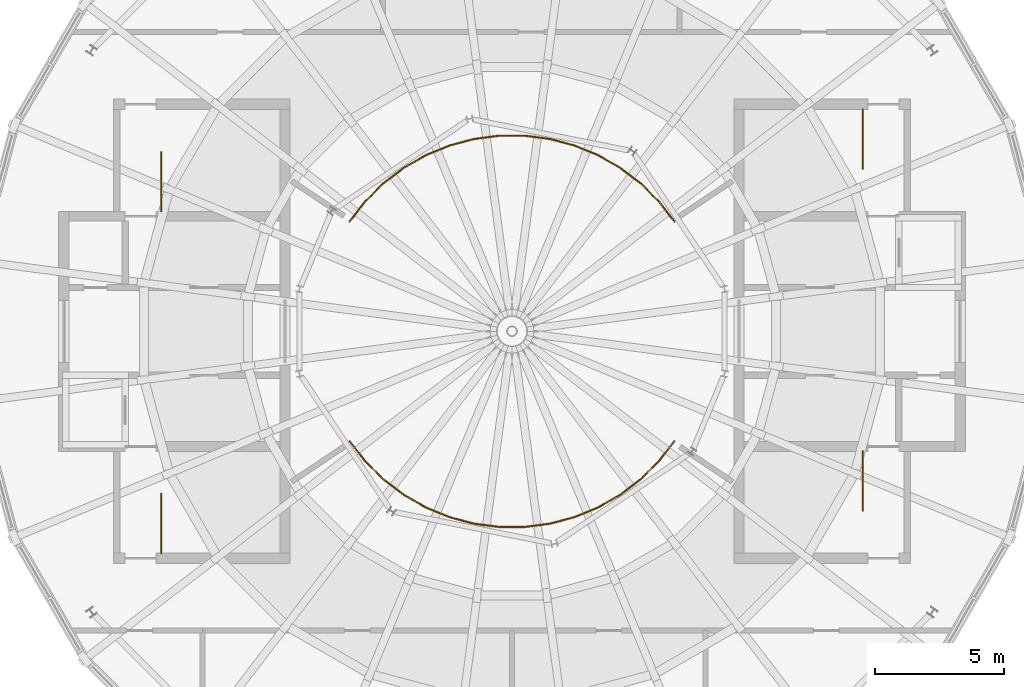
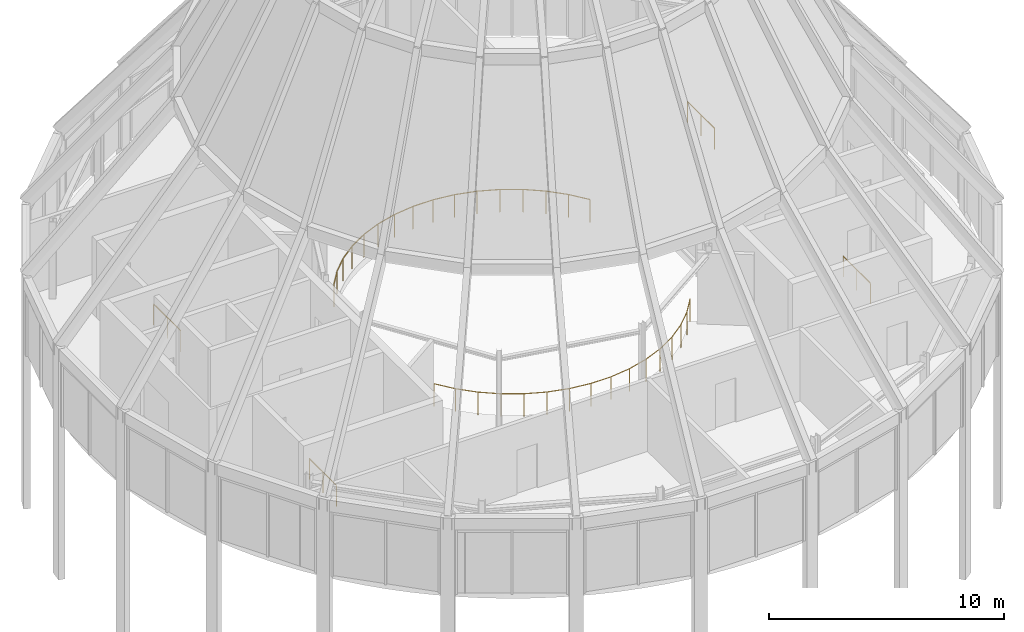
# One storey, part 16 of 16: 6 railings.
"""IFC4 building model written with IfcOpenShell, lengths in metres."""

from ifc_helpers import new_model, si_unit, direction, frame, origin, origin_2d, place, context, subcontext, project, spatial, circle, extrude, material, type_object, element, save


model = new_model("IFC4")

# Units and contexts
model_context = context("Model", 3, precision=1e-05, world=origin(), true_north=direction((0.0, 1.0)))
body_context = subcontext(model_context, "Body", "Model", "MODEL_VIEW")
ifc_project = project(units=[si_unit("LENGTHUNIT", "METRE"), si_unit("AREAUNIT", "SQUARE_METRE"), si_unit("VOLUMEUNIT", "CUBIC_METRE"), si_unit("PLANEANGLEUNIT", "RADIAN"), si_unit("MASSUNIT", "GRAM", prefix="KILO")], contexts=[model_context])

# Site, building, storey
site_placement = place(None, origin())
site = spatial("IfcSite", under=ifc_project, at=site_placement, CompositionType="ELEMENT")
building_placement = place(site_placement, origin())
building = spatial("IfcBuilding", under=site, at=building_placement, Name="Maasbend Ring Residences", CompositionType="ELEMENT")
storey_placement = place(building_placement, frame((0.0, 0.0, 269.5)))
storey = spatial("IfcBuildingStorey", under=building, at=storey_placement, Name="L77", CompositionType="ELEMENT", Elevation=269.5)

# Railings
ifc_material_1 = material(Name="Stainless steel 316 and glass", Category="steel")
railing_type_1 = type_object("IfcRailingType", Name="RL-GUARD", PredefinedType="GUARDRAIL", material=ifc_material_1)
railing_1_placement = place(storey_placement, frame((6.296875, 4.25537109375, 0.0)))
element("IfcRailing", 1, at=railing_1_placement, inside=storey, type_object=railing_type_1, Name="Well guard 1", PredefinedType="GUARDRAIL", context=body_context, shape_type="SweptSolid", body=[
    extrude(circle(Radius=0.02490234375, at=origin_2d()), frame((0.0, 0.0, 1.1748046875), z_axis=(-0.61260637429, 0.790388151593, 0.0), x_axis=(-0.790388151593, -0.61260637429, 0.0)), (0.0, 0.0, 1.0), 0.98876953125),
    extrude(circle(Radius=0.02490234375, at=origin_2d()), frame((-0.605712890625, 0.781494140625, 1.1748046875), z_axis=(-0.710063286319, 0.704137862511, 0.0), x_axis=(-0.704137862511, -0.710063286319, 0.0)), (0.0, 0.0, 1.0), 0.98876953125),
    extrude(circle(Radius=0.02490234375, at=origin_2d()), frame((-1.307861328125, 1.477783203125, 1.1748046875), z_axis=(-0.795414718638, 0.606065528944, 0.0), x_axis=(-0.606065528944, -0.795414718638, 0.0)), (0.0, 0.0, 1.0), 0.989013671875),
    extrude(circle(Radius=0.02490234375, at=origin_2d()), frame((-2.094482421875, 2.0771484375, 1.1748046875), z_axis=(-0.867436652983, 0.497547638987, 0.0), x_axis=(-0.497547638987, -0.867436652983, 0.0)), (0.0, 0.0, 1.0), 0.98876953125),
    extrude(circle(Radius=0.02490234375, at=origin_2d()), frame((-2.9521484375, 2.569091796875, 1.1748046875), z_axis=(-0.924683211941, 0.380737386599, 0.0), x_axis=(-0.380737386599, -0.924683211941, 0.0)), (0.0, 0.0, 1.0), 0.98876953125),
    extrude(circle(Radius=0.02490234375, at=origin_2d()), frame((-3.866455078125, 2.945556640625, 1.1748046875), z_axis=(-0.966279997956, 0.257493622348, 0.0), x_axis=(-0.257493622348, -0.966279997956, 0.0)), (0.0, 0.0, 1.0), 0.989013671875),
    extrude(circle(Radius=0.02490234375, at=origin_2d()), frame((-4.822021484375, 3.2001953125, 1.1748046875), z_axis=(-0.991531433773, 0.129866915878, 0.0), x_axis=(-0.129866915878, -0.991531433773, 0.0)), (0.0, 0.0, 1.0), 0.98876953125),
    extrude(circle(Radius=0.02490234375, at=origin_2d()), frame((-5.802490234375, 3.32861328125, 1.1748046875), z_axis=(-1.0, 0.0, 0.0), x_axis=(0.0, -1.0, 0.0)), (0.0, 0.0, 1.0), 0.98876953125),
    extrude(circle(Radius=0.02490234375, at=origin_2d()), frame((-6.791259765625, 3.32861328125, 1.1748046875), z_axis=(-0.991531433773, -0.129866915878, 0.0), x_axis=(0.129866915878, -0.991531433773, 0.0)), (0.0, 0.0, 1.0), 0.98876953125),
    extrude(circle(Radius=0.02490234375, at=origin_2d()), frame((-7.771728515625, 3.2001953125, 1.1748046875), z_axis=(-0.966279997956, -0.257493622348, 0.0), x_axis=(0.257493622348, -0.966279997956, 0.0)), (0.0, 0.0, 1.0), 0.989013671875),
    extrude(circle(Radius=0.02490234375, at=origin_2d()), frame((-8.727294921875, 2.945556640625, 1.1748046875), z_axis=(-0.924683211941, -0.380737386599, 0.0), x_axis=(0.380737386599, -0.924683211941, 0.0)), (0.0, 0.0, 1.0), 0.98876953125),
    extrude(circle(Radius=0.02490234375, at=origin_2d()), frame((-9.6416015625, 2.569091796875, 1.1748046875), z_axis=(-0.867436652983, -0.497547638987, 0.0), x_axis=(0.497547638987, -0.867436652983, 0.0)), (0.0, 0.0, 1.0), 0.98876953125),
    extrude(circle(Radius=0.02490234375, at=origin_2d()), frame((-10.499267578125, 2.0771484375, 1.1748046875), z_axis=(-0.795414718638, -0.606065528944, 0.0), x_axis=(0.606065528944, -0.795414718638, 0.0)), (0.0, 0.0, 1.0), 0.989013671875),
    extrude(circle(Radius=0.02490234375, at=origin_2d()), frame((-11.285888671875, 1.477783203125, 1.1748046875), z_axis=(-0.710063286319, -0.704137862511, 0.0), x_axis=(0.704137862511, -0.710063286319, 0.0)), (0.0, 0.0, 1.0), 0.98876953125),
    extrude(circle(Radius=0.02490234375, at=origin_2d()), frame((-11.988037109375, 0.781494140625, 1.1748046875), z_axis=(-0.61260637429, -0.790388151593, 0.0), x_axis=(0.790388151593, -0.61260637429, 0.0)), (0.0, 0.0, 1.0), 0.98876953125),
    extrude(circle(Radius=0.02001953125, at=origin_2d()), origin(), (0.0, 0.0, 1.0), 1.14990234375),
    extrude(circle(Radius=0.02001953125, at=origin_2d()), frame((-0.605712890625, 0.781494140625, 0.0)), (0.0, 0.0, 1.0), 1.14990234375),
    extrude(circle(Radius=0.02001953125, at=origin_2d()), frame((-1.307861328125, 1.477783203125, 0.0)), (0.0, 0.0, 1.0), 1.14990234375),
    extrude(circle(Radius=0.02001953125, at=origin_2d()), frame((-2.094482421875, 2.0771484375, 0.0)), (0.0, 0.0, 1.0), 1.14990234375),
    extrude(circle(Radius=0.02001953125, at=origin_2d()), frame((-2.9521484375, 2.569091796875, 0.0)), (0.0, 0.0, 1.0), 1.14990234375),
    extrude(circle(Radius=0.02001953125, at=origin_2d()), frame((-3.866455078125, 2.945556640625, 0.0)), (0.0, 0.0, 1.0), 1.14990234375),
    extrude(circle(Radius=0.02001953125, at=origin_2d()), frame((-4.822021484375, 3.2001953125, 0.0)), (0.0, 0.0, 1.0), 1.14990234375),
    extrude(circle(Radius=0.02001953125, at=origin_2d()), frame((-5.802490234375, 3.32861328125, 0.0)), (0.0, 0.0, 1.0), 1.14990234375),
    extrude(circle(Radius=0.02001953125, at=origin_2d()), frame((-6.791259765625, 3.32861328125, 0.0)), (0.0, 0.0, 1.0), 1.14990234375),
    extrude(circle(Radius=0.02001953125, at=origin_2d()), frame((-7.771728515625, 3.2001953125, 0.0)), (0.0, 0.0, 1.0), 1.14990234375),
    extrude(circle(Radius=0.02001953125, at=origin_2d()), frame((-8.727294921875, 2.945556640625, 0.0)), (0.0, 0.0, 1.0), 1.14990234375),
    extrude(circle(Radius=0.02001953125, at=origin_2d()), frame((-9.6416015625, 2.569091796875, 0.0)), (0.0, 0.0, 1.0), 1.14990234375),
    extrude(circle(Radius=0.02001953125, at=origin_2d()), frame((-10.499267578125, 2.0771484375, 0.0)), (0.0, 0.0, 1.0), 1.14990234375),
    extrude(circle(Radius=0.02001953125, at=origin_2d()), frame((-11.285888671875, 1.477783203125, 0.0)), (0.0, 0.0, 1.0), 1.14990234375),
    extrude(circle(Radius=0.02001953125, at=origin_2d()), frame((-11.988037109375, 0.781494140625, 0.0)), (0.0, 0.0, 1.0), 1.14990234375),
    extrude(circle(Radius=0.02001953125, at=origin_2d()), frame((-12.59375, 0.0, 0.0)), (0.0, 0.0, 1.0), 1.14990234375),
])
railing_2_placement = place(storey_placement, frame((-6.296875, -4.25537109375, 0.0)))
element("IfcRailing", 2, at=railing_2_placement, inside=storey, type_object=railing_type_1, Name="Well guard 2", PredefinedType="GUARDRAIL", context=body_context, shape_type="SweptSolid", body=[
    extrude(circle(Radius=0.02490234375, at=origin_2d()), frame((0.0, 0.0, 1.1748046875), z_axis=(0.61260637429, -0.790388151593, 0.0), x_axis=(0.790388151593, 0.61260637429, 0.0)), (0.0, 0.0, 1.0), 0.98876953125),
    extrude(circle(Radius=0.02490234375, at=origin_2d()), frame((0.605712890625, -0.781494140625, 1.1748046875), z_axis=(0.710063286319, -0.704137862511, 0.0), x_axis=(0.704137862511, 0.710063286319, 0.0)), (0.0, 0.0, 1.0), 0.98876953125),
    extrude(circle(Radius=0.02490234375, at=origin_2d()), frame((1.307861328125, -1.477783203125, 1.1748046875), z_axis=(0.795414718638, -0.606065528944, 0.0), x_axis=(0.606065528944, 0.795414718638, 0.0)), (0.0, 0.0, 1.0), 0.989013671875),
    extrude(circle(Radius=0.02490234375, at=origin_2d()), frame((2.094482421875, -2.0771484375, 1.1748046875), z_axis=(0.867436652983, -0.497547638987, 0.0), x_axis=(0.497547638987, 0.867436652983, 0.0)), (0.0, 0.0, 1.0), 0.98876953125),
    extrude(circle(Radius=0.02490234375, at=origin_2d()), frame((2.9521484375, -2.569091796875, 1.1748046875), z_axis=(0.924683211941, -0.380737386599, 0.0), x_axis=(0.380737386599, 0.924683211941, 0.0)), (0.0, 0.0, 1.0), 0.98876953125),
    extrude(circle(Radius=0.02490234375, at=origin_2d()), frame((3.866455078125, -2.945556640625, 1.1748046875), z_axis=(0.966279997956, -0.257493622348, 0.0), x_axis=(0.257493622348, 0.966279997956, 0.0)), (0.0, 0.0, 1.0), 0.989013671875),
    extrude(circle(Radius=0.02490234375, at=origin_2d()), frame((4.822021484375, -3.2001953125, 1.1748046875), z_axis=(0.991531433773, -0.129866915878, 0.0), x_axis=(0.129866915878, 0.991531433773, 0.0)), (0.0, 0.0, 1.0), 0.98876953125),
    extrude(circle(Radius=0.02490234375, at=origin_2d()), frame((5.802490234375, -3.32861328125, 1.1748046875), z_axis=(1.0, 0.0, 0.0), x_axis=(0.0, 1.0, 0.0)), (0.0, 0.0, 1.0), 0.98876953125),
    extrude(circle(Radius=0.02490234375, at=origin_2d()), frame((6.791259765625, -3.32861328125, 1.1748046875), z_axis=(0.991531433773, 0.129866915878, 0.0), x_axis=(-0.129866915878, 0.991531433773, 0.0)), (0.0, 0.0, 1.0), 0.98876953125),
    extrude(circle(Radius=0.02490234375, at=origin_2d()), frame((7.771728515625, -3.2001953125, 1.1748046875), z_axis=(0.966279997956, 0.257493622348, 0.0), x_axis=(-0.257493622348, 0.966279997956, 0.0)), (0.0, 0.0, 1.0), 0.989013671875),
    extrude(circle(Radius=0.02490234375, at=origin_2d()), frame((8.727294921875, -2.945556640625, 1.1748046875), z_axis=(0.924683211941, 0.380737386599, 0.0), x_axis=(-0.380737386599, 0.924683211941, 0.0)), (0.0, 0.0, 1.0), 0.98876953125),
    extrude(circle(Radius=0.02490234375, at=origin_2d()), frame((9.6416015625, -2.569091796875, 1.1748046875), z_axis=(0.867436652983, 0.497547638987, 0.0), x_axis=(-0.497547638987, 0.867436652983, 0.0)), (0.0, 0.0, 1.0), 0.98876953125),
    extrude(circle(Radius=0.02490234375, at=origin_2d()), frame((10.499267578125, -2.0771484375, 1.1748046875), z_axis=(0.795414718638, 0.606065528944, 0.0), x_axis=(-0.606065528944, 0.795414718638, 0.0)), (0.0, 0.0, 1.0), 0.989013671875),
    extrude(circle(Radius=0.02490234375, at=origin_2d()), frame((11.285888671875, -1.477783203125, 1.1748046875), z_axis=(0.710063286319, 0.704137862511, 0.0), x_axis=(-0.704137862511, 0.710063286319, 0.0)), (0.0, 0.0, 1.0), 0.98876953125),
    extrude(circle(Radius=0.02490234375, at=origin_2d()), frame((11.988037109375, -0.781494140625, 1.1748046875), z_axis=(0.61260637429, 0.790388151593, 0.0), x_axis=(-0.790388151593, 0.61260637429, 0.0)), (0.0, 0.0, 1.0), 0.98876953125),
    extrude(circle(Radius=0.02001953125, at=origin_2d()), origin(), (0.0, 0.0, 1.0), 1.14990234375),
    extrude(circle(Radius=0.02001953125, at=origin_2d()), frame((0.605712890625, -0.781494140625, 0.0)), (0.0, 0.0, 1.0), 1.14990234375),
    extrude(circle(Radius=0.02001953125, at=origin_2d()), frame((1.307861328125, -1.477783203125, 0.0)), (0.0, 0.0, 1.0), 1.14990234375),
    extrude(circle(Radius=0.02001953125, at=origin_2d()), frame((2.094482421875, -2.0771484375, 0.0)), (0.0, 0.0, 1.0), 1.14990234375),
    extrude(circle(Radius=0.02001953125, at=origin_2d()), frame((2.9521484375, -2.569091796875, 0.0)), (0.0, 0.0, 1.0), 1.14990234375),
    extrude(circle(Radius=0.02001953125, at=origin_2d()), frame((3.866455078125, -2.945556640625, 0.0)), (0.0, 0.0, 1.0), 1.14990234375),
    extrude(circle(Radius=0.02001953125, at=origin_2d()), frame((4.822021484375, -3.2001953125, 0.0)), (0.0, 0.0, 1.0), 1.14990234375),
    extrude(circle(Radius=0.02001953125, at=origin_2d()), frame((5.802490234375, -3.32861328125, 0.0)), (0.0, 0.0, 1.0), 1.14990234375),
    extrude(circle(Radius=0.02001953125, at=origin_2d()), frame((6.791259765625, -3.32861328125, 0.0)), (0.0, 0.0, 1.0), 1.14990234375),
    extrude(circle(Radius=0.02001953125, at=origin_2d()), frame((7.771728515625, -3.2001953125, 0.0)), (0.0, 0.0, 1.0), 1.14990234375),
    extrude(circle(Radius=0.02001953125, at=origin_2d()), frame((8.727294921875, -2.945556640625, 0.0)), (0.0, 0.0, 1.0), 1.14990234375),
    extrude(circle(Radius=0.02001953125, at=origin_2d()), frame((9.6416015625, -2.569091796875, 0.0)), (0.0, 0.0, 1.0), 1.14990234375),
    extrude(circle(Radius=0.02001953125, at=origin_2d()), frame((10.499267578125, -2.0771484375, 0.0)), (0.0, 0.0, 1.0), 1.14990234375),
    extrude(circle(Radius=0.02001953125, at=origin_2d()), frame((11.285888671875, -1.477783203125, 0.0)), (0.0, 0.0, 1.0), 1.14990234375),
    extrude(circle(Radius=0.02001953125, at=origin_2d()), frame((11.988037109375, -0.781494140625, 0.0)), (0.0, 0.0, 1.0), 1.14990234375),
    extrude(circle(Radius=0.02001953125, at=origin_2d()), frame((12.59375, 0.0, 0.0)), (0.0, 0.0, 1.0), 1.14990234375),
])
ifc_material_2 = material(Name="Stainless steel 316", Category="steel")
railing_type_2 = type_object("IfcRailingType", Name="STAIR GUARD 1100", PredefinedType="GUARDRAIL", material=ifc_material_2)
for number, where, name in (
    (3, (13.60009765625, 8.60009765625, 0.0), "L77 ST-E1 top well guard 1"),
    (4, (13.60009765625, -4.64990234375, 0.0), "L77 ST-E2 top well guard 1"),
):
    element("IfcRailing", number, at=place(storey_placement, frame(where)), inside=storey, type_object=railing_type_2, Name=name, PredefinedType="GUARDRAIL", context=body_context, shape_type="SweptSolid", body=[
        extrude(circle(Radius=0.02392578125, at=origin_2d()), frame((0.0, 0.0, 1.076171875), z_axis=(0.0, -1.0, 0.0), x_axis=(1.0, 0.0, 0.0)), (0.0, 0.0, 1.0), 2.300048828125),
        extrude(circle(Radius=0.02099609375, at=origin_2d()), origin(), (0.0, 0.0, 1.0), 1.052001953125),
        extrude(circle(Radius=0.02099609375, at=origin_2d()), frame((0.0, -1.14990234375, 0.0)), (0.0, 0.0, 1.0), 1.052001953125),
        extrude(circle(Radius=0.02099609375, at=origin_2d()), frame((0.0, -2.300048828125, 0.0)), (0.0, 0.0, 1.0), 1.052001953125),
    ])
for number, where, name in (
    (5, (-13.60009765625, -8.60009765625, 0.0), "L77 ST-W1 top well guard 1"),
    (6, (-13.60009765625, 4.64990234375, 0.0), "L77 ST-W2 top well guard 1"),
):
    element("IfcRailing", number, at=place(storey_placement, frame(where)), inside=storey, type_object=railing_type_2, Name=name, PredefinedType="GUARDRAIL", context=body_context, shape_type="SweptSolid", body=[
        extrude(circle(Radius=0.02392578125, at=origin_2d()), frame((0.0, 0.0, 1.076171875), z_axis=(0.0, 1.0, 0.0), x_axis=(-1.0, 0.0, 0.0)), (0.0, 0.0, 1.0), 2.300048828125),
        extrude(circle(Radius=0.02099609375, at=origin_2d()), origin(), (0.0, 0.0, 1.0), 1.052001953125),
        extrude(circle(Radius=0.02099609375, at=origin_2d()), frame((0.0, 1.14990234375, 0.0)), (0.0, 0.0, 1.0), 1.052001953125),
        extrude(circle(Radius=0.02099609375, at=origin_2d()), frame((0.0, 2.300048828125, 0.0)), (0.0, 0.0, 1.0), 1.052001953125),
    ])

save(model, "model.ifc")
